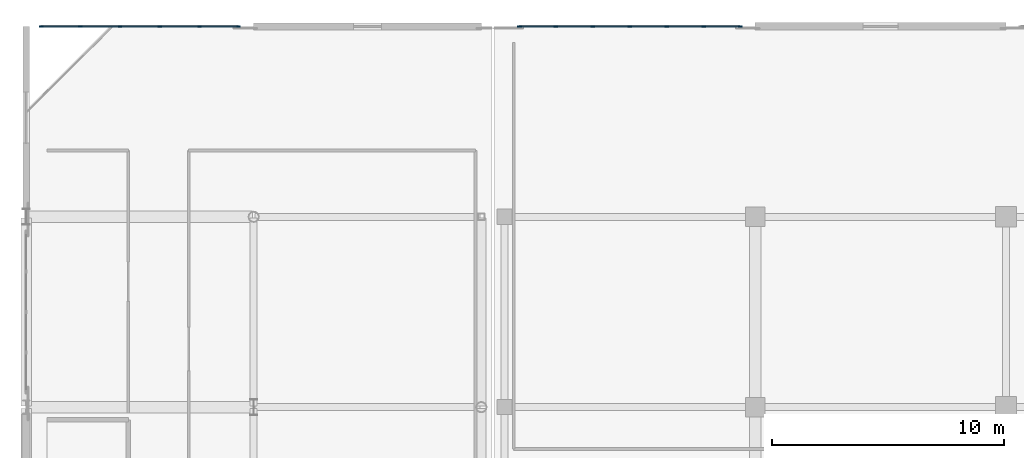
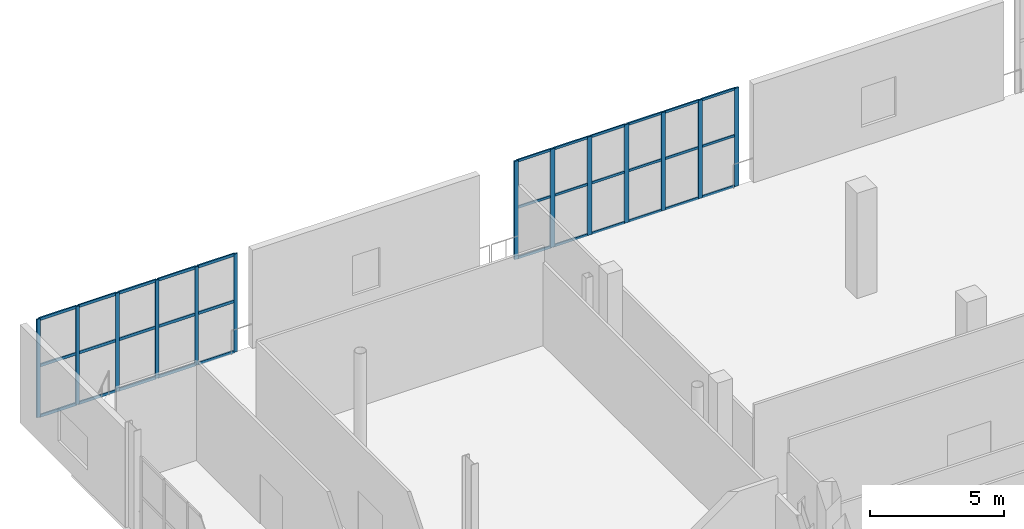
# One storey, part 48 of 129: 46 members, 2 elements without a shape of their own.
"""IFC4 building model written with IfcOpenShell, lengths in metres."""

from ifc_helpers import new_model, si_unit, direction, frame, origin, origin_2d, place, context, subcontext, project, spatial, rectangle, extrude, material, material_profile, profile_set, type_object, element, aggregate, save


model = new_model("IFC4")

# Units and contexts
model_context = context("Model", 3, precision=1e-05, world=origin(), true_north=direction((0.0, 1.0)))
body_context = subcontext(model_context, "Body", "Model", "MODEL_VIEW")
ifc_project = project(units=[si_unit("LENGTHUNIT", "METRE"), si_unit("AREAUNIT", "SQUARE_METRE"), si_unit("VOLUMEUNIT", "CUBIC_METRE"), si_unit("PLANEANGLEUNIT", "RADIAN"), si_unit("MASSUNIT", "GRAM", prefix="KILO")], contexts=[model_context])

# Site, building, storey
site_placement = place(None, origin())
site = spatial("IfcSite", under=ifc_project, at=site_placement, CompositionType="ELEMENT")
building_placement = place(site_placement, origin())
building = spatial("IfcBuilding", under=site, at=building_placement, Name="Koshinbarg Plaza Stadium", CompositionType="ELEMENT")
storey_placement = place(building_placement, frame((0.0, 0.0, 5.39990234375)))
storey = spatial("IfcBuildingStorey", under=building, at=storey_placement, Name="L01", CompositionType="ELEMENT", Elevation=5.39990234375)

# Curtain wall, members
ifc_material_1 = material(Name="Thermally broken anodised aluminium and low-E double glazing", Category="aluminium")
curtain_wall_type_1 = type_object("IfcCurtainWallType", Name="CW-SYS-10", PredefinedType="NOTDEFINED", material=ifc_material_1)
curtain_wall_1_placement = place(storey_placement, origin())
curtain_wall_1 = element("IfcCurtainWall", 1, at=curtain_wall_1_placement, inside=storey, type_object=curtain_wall_type_1, Name="L01 unitised curtain wall CW-L01-009", PredefinedType="NOTDEFINED")
ifc_material_2 = material(Name="Anodised aluminium mullion", Category="aluminium")
ifc_material_profile_1 = material_profile(ifc_material_2, rectangle(XDim=0.06005859375, YDim=0.159912109375, at=origin_2d()), Name="ALU 60x160")
ifc_profile_set_1 = profile_set([ifc_material_profile_1], Name="Anodised aluminium mullion")
member_type_1 = type_object("IfcMemberType", Name="CW-MUL-02", PredefinedType="MULLION", material=ifc_profile_set_1)
member_1_placement = place(storey_placement, frame((4.64990234375, 152.0, 0.0), z_axis=(0.0, 0.0, 1.0), x_axis=(0.0, 1.0, 0.0)))
member_1 = element("IfcMember", 2, at=member_1_placement, type_object=member_type_1, Name="CW10 mullion 1", PredefinedType="MULLION", context=body_context, shape_type="SweptSolid", body=[
    extrude(rectangle(XDim=0.06005859375, YDim=0.159912109375, at=origin_2d()), origin(), (0.0, 0.0, 1.0), 4.47998046875),
])
member_2_placement = place(storey_placement, frame((6.33203125, 152.0, 0.0), z_axis=(0.0, 0.0, 1.0), x_axis=(0.0, 1.0, 0.0)))
member_2 = element("IfcMember", 3, at=member_2_placement, type_object=member_type_1, Name="CW10 mullion 2", PredefinedType="MULLION", context=body_context, shape_type="SweptSolid", body=[
    extrude(rectangle(XDim=0.06005859375, YDim=0.159912109375, at=origin_2d()), origin(), (0.0, 0.0, 1.0), 4.47998046875),
])
member_3_placement = place(storey_placement, frame((8.0439453125, 152.0, 0.0), z_axis=(0.0, 0.0, 1.0), x_axis=(0.0, 1.0, 0.0)))
member_3 = element("IfcMember", 4, at=member_3_placement, type_object=member_type_1, Name="CW10 mullion 3", PredefinedType="MULLION", context=body_context, shape_type="SweptSolid", body=[
    extrude(rectangle(XDim=0.06005859375, YDim=0.159912109375, at=origin_2d()), origin(), (0.0, 0.0, 1.0), 4.47998046875),
])
member_4_placement = place(storey_placement, frame((9.756103515625, 152.0, 0.0), z_axis=(0.0, 0.0, 1.0), x_axis=(0.0, 1.0, 0.0)))
member_4 = element("IfcMember", 5, at=member_4_placement, type_object=member_type_1, Name="CW10 mullion 4", PredefinedType="MULLION", context=body_context, shape_type="SweptSolid", body=[
    extrude(rectangle(XDim=0.06005859375, YDim=0.159912109375, at=origin_2d()), origin(), (0.0, 0.0, 1.0), 4.47998046875),
])
member_5_placement = place(storey_placement, frame((11.468017578125, 152.0, 0.0), z_axis=(0.0, 0.0, 1.0), x_axis=(0.0, 1.0, 0.0)))
member_5 = element("IfcMember", 6, at=member_5_placement, type_object=member_type_1, Name="CW10 mullion 5", PredefinedType="MULLION", context=body_context, shape_type="SweptSolid", body=[
    extrude(rectangle(XDim=0.06005859375, YDim=0.159912109375, at=origin_2d()), origin(), (0.0, 0.0, 1.0), 4.47998046875),
])
member_6_placement = place(storey_placement, frame((13.14990234375, 152.0, 0.0), z_axis=(0.0, 0.0, 1.0), x_axis=(0.0, 1.0, 0.0)))
member_6 = element("IfcMember", 7, at=member_6_placement, type_object=member_type_1, Name="CW10 mullion 6", PredefinedType="MULLION", context=body_context, shape_type="SweptSolid", body=[
    extrude(rectangle(XDim=0.06005859375, YDim=0.159912109375, at=origin_2d()), origin(), (0.0, 0.0, 1.0), 4.47998046875),
])

curtain_wall_type_2 = type_object("IfcCurtainWallType", Name="CW-SYS-11", PredefinedType="NOTDEFINED", material=ifc_material_1)
curtain_wall_2_placement = place(storey_placement, origin())
curtain_wall_2 = element("IfcCurtainWall", 8, at=curtain_wall_2_placement, inside=storey, type_object=curtain_wall_type_2, Name="L01 unitised curtain wall CW-L01-010", PredefinedType="NOTDEFINED")
ifc_material_profile_2 = material_profile(ifc_material_2, rectangle(XDim=0.070068359375, YDim=0.179931640625, at=origin_2d()), Name="ALU 70x180")
ifc_profile_set_2 = profile_set([ifc_material_profile_2], Name="Anodised aluminium mullion")
member_type_2 = type_object("IfcMemberType", Name="CW-MUL-03", PredefinedType="MULLION", material=ifc_profile_set_2)
member_7_placement = place(storey_placement, frame((25.25, 152.0, 0.0), z_axis=(0.0, 0.0, 1.0), x_axis=(0.0, 1.0, 0.0)))
member_7 = element("IfcMember", 9, at=member_7_placement, type_object=member_type_2, Name="CW11 mullion 1", PredefinedType="MULLION", context=body_context, shape_type="SweptSolid", body=[
    extrude(rectangle(XDim=0.070068359375, YDim=0.179931640625, at=origin_2d()), origin(), (0.0, 0.0, 1.0), 4.47998046875),
])
member_8_placement = place(storey_placement, frame((26.813232421875, 152.0, 0.0), z_axis=(0.0, 0.0, 1.0), x_axis=(0.0, 1.0, 0.0)))
member_8 = element("IfcMember", 10, at=member_8_placement, type_object=member_type_2, Name="CW11 mullion 2", PredefinedType="MULLION", context=body_context, shape_type="SweptSolid", body=[
    extrude(rectangle(XDim=0.070068359375, YDim=0.179931640625, at=origin_2d()), origin(), (0.0, 0.0, 1.0), 4.47998046875),
])
member_9_placement = place(storey_placement, frame((28.40673828125, 152.0, 0.0), z_axis=(0.0, 0.0, 1.0), x_axis=(0.0, 1.0, 0.0)))
member_9 = element("IfcMember", 11, at=member_9_placement, type_object=member_type_2, Name="CW11 mullion 3", PredefinedType="MULLION", context=body_context, shape_type="SweptSolid", body=[
    extrude(rectangle(XDim=0.070068359375, YDim=0.179931640625, at=origin_2d()), origin(), (0.0, 0.0, 1.0), 4.47998046875),
])
member_10_placement = place(storey_placement, frame((30.0, 152.0, 0.0), z_axis=(0.0, 0.0, 1.0), x_axis=(0.0, 1.0, 0.0)))
member_10 = element("IfcMember", 12, at=member_10_placement, type_object=member_type_2, Name="CW11 mullion 4", PredefinedType="MULLION", context=body_context, shape_type="SweptSolid", body=[
    extrude(rectangle(XDim=0.070068359375, YDim=0.179931640625, at=origin_2d()), origin(), (0.0, 0.0, 1.0), 4.47998046875),
])
member_11_placement = place(storey_placement, frame((31.59326171875, 152.0, 0.0), z_axis=(0.0, 0.0, 1.0), x_axis=(0.0, 1.0, 0.0)))
member_11 = element("IfcMember", 13, at=member_11_placement, type_object=member_type_2, Name="CW11 mullion 5", PredefinedType="MULLION", context=body_context, shape_type="SweptSolid", body=[
    extrude(rectangle(XDim=0.070068359375, YDim=0.179931640625, at=origin_2d()), origin(), (0.0, 0.0, 1.0), 4.47998046875),
])
member_12_placement = place(storey_placement, frame((33.186767578125, 152.0, 0.0), z_axis=(0.0, 0.0, 1.0), x_axis=(0.0, 1.0, 0.0)))
member_12 = element("IfcMember", 14, at=member_12_placement, type_object=member_type_2, Name="CW11 mullion 6", PredefinedType="MULLION", context=body_context, shape_type="SweptSolid", body=[
    extrude(rectangle(XDim=0.070068359375, YDim=0.179931640625, at=origin_2d()), origin(), (0.0, 0.0, 1.0), 4.47998046875),
])
member_13_placement = place(storey_placement, frame((34.75, 152.0, 0.0), z_axis=(0.0, 0.0, 1.0), x_axis=(0.0, 1.0, 0.0)))
member_13 = element("IfcMember", 15, at=member_13_placement, type_object=member_type_2, Name="CW11 mullion 7", PredefinedType="MULLION", context=body_context, shape_type="SweptSolid", body=[
    extrude(rectangle(XDim=0.070068359375, YDim=0.179931640625, at=origin_2d()), origin(), (0.0, 0.0, 1.0), 4.47998046875),
])
ifc_material_3 = material(Name="Anodised aluminium transom", Category="aluminium")
ifc_material_profile_3 = material_profile(ifc_material_3, rectangle(XDim=0.06005859375, YDim=0.110107421875, at=origin_2d()), Name="ALU 60x110")
ifc_profile_set_3 = profile_set([ifc_material_profile_3], Name="Anodised aluminium transom")
member_type_3 = type_object("IfcMemberType", Name="CW-TRN-01", PredefinedType="USERDEFINED", material=ifc_profile_set_3)
member_14_placement = place(storey_placement, frame((25.280029296875, 152.0, 0.030029296875), z_axis=(1.0, 0.0, 0.0), x_axis=(0.0, 1.0, 0.0)))
member_14 = element("IfcMember", 16, at=member_14_placement, type_object=member_type_3, Name="CW11 transom 1.1", ObjectType="TRANSOM", PredefinedType="USERDEFINED", context=body_context, shape_type="SweptSolid", body=[
    extrude(rectangle(XDim=0.06005859375, YDim=0.110107421875, at=origin_2d()), origin(), (0.0, 0.0, 1.0), 1.50341796875),
])
member_15_placement = place(storey_placement, frame((25.280029296875, 152.0, 2.32958984375), z_axis=(1.0, 0.0, 0.0), x_axis=(0.0, 1.0, 0.0)))
member_15 = element("IfcMember", 17, at=member_15_placement, type_object=member_type_3, Name="CW11 transom 1.2", ObjectType="TRANSOM", PredefinedType="USERDEFINED", context=body_context, shape_type="SweptSolid", body=[
    extrude(rectangle(XDim=0.06005859375, YDim=0.110107421875, at=origin_2d()), origin(), (0.0, 0.0, 1.0), 1.50341796875),
])
member_16_placement = place(storey_placement, frame((25.280029296875, 152.0, 4.4501953125), z_axis=(1.0, 0.0, 0.0), x_axis=(0.0, 1.0, 0.0)))
member_16 = element("IfcMember", 18, at=member_16_placement, type_object=member_type_3, Name="CW11 transom 1.3", ObjectType="TRANSOM", PredefinedType="USERDEFINED", context=body_context, shape_type="SweptSolid", body=[
    extrude(rectangle(XDim=0.06005859375, YDim=0.110107421875, at=origin_2d()), origin(), (0.0, 0.0, 1.0), 1.50341796875),
])
member_17_placement = place(storey_placement, frame((26.84326171875, 152.0, 0.030029296875), z_axis=(1.0, 0.0, 0.0), x_axis=(0.0, 1.0, 0.0)))
member_17 = element("IfcMember", 19, at=member_17_placement, type_object=member_type_3, Name="CW11 transom 2.1", ObjectType="TRANSOM", PredefinedType="USERDEFINED", context=body_context, shape_type="SweptSolid", body=[
    extrude(rectangle(XDim=0.06005859375, YDim=0.110107421875, at=origin_2d()), origin(), (0.0, 0.0, 1.0), 1.533447265625),
])
member_18_placement = place(storey_placement, frame((26.84326171875, 152.0, 2.32958984375), z_axis=(1.0, 0.0, 0.0), x_axis=(0.0, 1.0, 0.0)))
member_18 = element("IfcMember", 20, at=member_18_placement, type_object=member_type_3, Name="CW11 transom 2.2", ObjectType="TRANSOM", PredefinedType="USERDEFINED", context=body_context, shape_type="SweptSolid", body=[
    extrude(rectangle(XDim=0.06005859375, YDim=0.110107421875, at=origin_2d()), origin(), (0.0, 0.0, 1.0), 1.533447265625),
])
member_19_placement = place(storey_placement, frame((26.84326171875, 152.0, 4.4501953125), z_axis=(1.0, 0.0, 0.0), x_axis=(0.0, 1.0, 0.0)))
member_19 = element("IfcMember", 21, at=member_19_placement, type_object=member_type_3, Name="CW11 transom 2.3", ObjectType="TRANSOM", PredefinedType="USERDEFINED", context=body_context, shape_type="SweptSolid", body=[
    extrude(rectangle(XDim=0.06005859375, YDim=0.110107421875, at=origin_2d()), origin(), (0.0, 0.0, 1.0), 1.533447265625),
])
member_20_placement = place(storey_placement, frame((28.436767578125, 152.0, 0.030029296875), z_axis=(1.0, 0.0, 0.0), x_axis=(0.0, 1.0, 0.0)))
member_20 = element("IfcMember", 22, at=member_20_placement, type_object=member_type_3, Name="CW11 transom 3.1", ObjectType="TRANSOM", PredefinedType="USERDEFINED", context=body_context, shape_type="SweptSolid", body=[
    extrude(rectangle(XDim=0.06005859375, YDim=0.110107421875, at=origin_2d()), origin(), (0.0, 0.0, 1.0), 1.533203125),
])
member_21_placement = place(storey_placement, frame((28.436767578125, 152.0, 2.32958984375), z_axis=(1.0, 0.0, 0.0), x_axis=(0.0, 1.0, 0.0)))
member_21 = element("IfcMember", 23, at=member_21_placement, type_object=member_type_3, Name="CW11 transom 3.2", ObjectType="TRANSOM", PredefinedType="USERDEFINED", context=body_context, shape_type="SweptSolid", body=[
    extrude(rectangle(XDim=0.06005859375, YDim=0.110107421875, at=origin_2d()), origin(), (0.0, 0.0, 1.0), 1.533203125),
])
member_22_placement = place(storey_placement, frame((28.436767578125, 152.0, 4.4501953125), z_axis=(1.0, 0.0, 0.0), x_axis=(0.0, 1.0, 0.0)))
member_22 = element("IfcMember", 24, at=member_22_placement, type_object=member_type_3, Name="CW11 transom 3.3", ObjectType="TRANSOM", PredefinedType="USERDEFINED", context=body_context, shape_type="SweptSolid", body=[
    extrude(rectangle(XDim=0.06005859375, YDim=0.110107421875, at=origin_2d()), origin(), (0.0, 0.0, 1.0), 1.533203125),
])
member_23_placement = place(storey_placement, frame((30.030029296875, 152.0, 0.030029296875), z_axis=(1.0, 0.0, 0.0), x_axis=(0.0, 1.0, 0.0)))
member_23 = element("IfcMember", 25, at=member_23_placement, type_object=member_type_3, Name="CW11 transom 4.1", ObjectType="TRANSOM", PredefinedType="USERDEFINED", context=body_context, shape_type="SweptSolid", body=[
    extrude(rectangle(XDim=0.06005859375, YDim=0.110107421875, at=origin_2d()), origin(), (0.0, 0.0, 1.0), 1.533203125),
])
member_24_placement = place(storey_placement, frame((30.030029296875, 152.0, 2.32958984375), z_axis=(1.0, 0.0, 0.0), x_axis=(0.0, 1.0, 0.0)))
member_24 = element("IfcMember", 26, at=member_24_placement, type_object=member_type_3, Name="CW11 transom 4.2", ObjectType="TRANSOM", PredefinedType="USERDEFINED", context=body_context, shape_type="SweptSolid", body=[
    extrude(rectangle(XDim=0.06005859375, YDim=0.110107421875, at=origin_2d()), origin(), (0.0, 0.0, 1.0), 1.533203125),
])
member_25_placement = place(storey_placement, frame((30.030029296875, 152.0, 4.4501953125), z_axis=(1.0, 0.0, 0.0), x_axis=(0.0, 1.0, 0.0)))
member_25 = element("IfcMember", 27, at=member_25_placement, type_object=member_type_3, Name="CW11 transom 4.3", ObjectType="TRANSOM", PredefinedType="USERDEFINED", context=body_context, shape_type="SweptSolid", body=[
    extrude(rectangle(XDim=0.06005859375, YDim=0.110107421875, at=origin_2d()), origin(), (0.0, 0.0, 1.0), 1.533203125),
])
member_26_placement = place(storey_placement, frame((31.623291015625, 152.0, 0.030029296875), z_axis=(1.0, 0.0, 0.0), x_axis=(0.0, 1.0, 0.0)))
member_26 = element("IfcMember", 28, at=member_26_placement, type_object=member_type_3, Name="CW11 transom 5.1", ObjectType="TRANSOM", PredefinedType="USERDEFINED", context=body_context, shape_type="SweptSolid", body=[
    extrude(rectangle(XDim=0.06005859375, YDim=0.110107421875, at=origin_2d()), origin(), (0.0, 0.0, 1.0), 1.533447265625),
])
member_27_placement = place(storey_placement, frame((31.623291015625, 152.0, 2.32958984375), z_axis=(1.0, 0.0, 0.0), x_axis=(0.0, 1.0, 0.0)))
member_27 = element("IfcMember", 29, at=member_27_placement, type_object=member_type_3, Name="CW11 transom 5.2", ObjectType="TRANSOM", PredefinedType="USERDEFINED", context=body_context, shape_type="SweptSolid", body=[
    extrude(rectangle(XDim=0.06005859375, YDim=0.110107421875, at=origin_2d()), origin(), (0.0, 0.0, 1.0), 1.533447265625),
])
member_28_placement = place(storey_placement, frame((31.623291015625, 152.0, 4.4501953125), z_axis=(1.0, 0.0, 0.0), x_axis=(0.0, 1.0, 0.0)))
member_28 = element("IfcMember", 30, at=member_28_placement, type_object=member_type_3, Name="CW11 transom 5.3", ObjectType="TRANSOM", PredefinedType="USERDEFINED", context=body_context, shape_type="SweptSolid", body=[
    extrude(rectangle(XDim=0.06005859375, YDim=0.110107421875, at=origin_2d()), origin(), (0.0, 0.0, 1.0), 1.533447265625),
])
member_29_placement = place(storey_placement, frame((33.216552734375, 152.0, 0.030029296875), z_axis=(1.0, 0.0, 0.0), x_axis=(0.0, 1.0, 0.0)))
member_29 = element("IfcMember", 31, at=member_29_placement, type_object=member_type_3, Name="CW11 transom 6.1", ObjectType="TRANSOM", PredefinedType="USERDEFINED", context=body_context, shape_type="SweptSolid", body=[
    extrude(rectangle(XDim=0.06005859375, YDim=0.110107421875, at=origin_2d()), origin(), (0.0, 0.0, 1.0), 1.50341796875),
])
member_30_placement = place(storey_placement, frame((33.216552734375, 152.0, 2.32958984375), z_axis=(1.0, 0.0, 0.0), x_axis=(0.0, 1.0, 0.0)))
member_30 = element("IfcMember", 32, at=member_30_placement, type_object=member_type_3, Name="CW11 transom 6.2", ObjectType="TRANSOM", PredefinedType="USERDEFINED", context=body_context, shape_type="SweptSolid", body=[
    extrude(rectangle(XDim=0.06005859375, YDim=0.110107421875, at=origin_2d()), origin(), (0.0, 0.0, 1.0), 1.50341796875),
])
member_31_placement = place(storey_placement, frame((33.216552734375, 152.0, 4.4501953125), z_axis=(1.0, 0.0, 0.0), x_axis=(0.0, 1.0, 0.0)))
member_31 = element("IfcMember", 33, at=member_31_placement, type_object=member_type_3, Name="CW11 transom 6.3", ObjectType="TRANSOM", PredefinedType="USERDEFINED", context=body_context, shape_type="SweptSolid", body=[
    extrude(rectangle(XDim=0.06005859375, YDim=0.110107421875, at=origin_2d()), origin(), (0.0, 0.0, 1.0), 1.50341796875),
])
aggregate(curtain_wall_2, [member_7, member_8, member_9, member_10, member_11, member_12, member_13, member_14, member_15, member_16, member_17, member_18, member_19, member_20, member_21, member_22, member_23, member_24, member_25, member_26, member_27, member_28, member_29, member_30, member_31])

# Member
ifc_material_profile_4 = material_profile(ifc_material_3, rectangle(XDim=0.06005859375, YDim=0.1298828125, at=origin_2d()), Name="ALU 60x130")
ifc_profile_set_4 = profile_set([ifc_material_profile_4], Name="Anodised aluminium transom")
member_type_4 = type_object("IfcMemberType", Name="CW-TRN-02", PredefinedType="USERDEFINED", material=ifc_profile_set_4)
member_32_placement = place(storey_placement, frame((4.679931640625, 152.0, 0.030029296875), z_axis=(1.0, 0.0, 0.0), x_axis=(0.0, 1.0, 0.0)))
member_32 = element("IfcMember", 34, at=member_32_placement, type_object=member_type_4, Name="CW10 transom 1.1", ObjectType="TRANSOM", PredefinedType="USERDEFINED", context=body_context, shape_type="SweptSolid", body=[
    extrude(rectangle(XDim=0.06005859375, YDim=0.1298828125, at=origin_2d()), origin(), (0.0, 0.0, 1.0), 1.6220703125),
])

member_33_placement = place(storey_placement, frame((4.679931640625, 152.0, 2.32958984375), z_axis=(1.0, 0.0, 0.0), x_axis=(0.0, 1.0, 0.0)))
member_33 = element("IfcMember", 35, at=member_33_placement, type_object=member_type_4, Name="CW10 transom 1.2", ObjectType="TRANSOM", PredefinedType="USERDEFINED", context=body_context, shape_type="SweptSolid", body=[
    extrude(rectangle(XDim=0.06005859375, YDim=0.1298828125, at=origin_2d()), origin(), (0.0, 0.0, 1.0), 1.6220703125),
])

member_34_placement = place(storey_placement, frame((4.679931640625, 152.0, 4.4501953125), z_axis=(1.0, 0.0, 0.0), x_axis=(0.0, 1.0, 0.0)))
member_34 = element("IfcMember", 36, at=member_34_placement, type_object=member_type_4, Name="CW10 transom 1.3", ObjectType="TRANSOM", PredefinedType="USERDEFINED", context=body_context, shape_type="SweptSolid", body=[
    extrude(rectangle(XDim=0.06005859375, YDim=0.1298828125, at=origin_2d()), origin(), (0.0, 0.0, 1.0), 1.6220703125),
])

member_35_placement = place(storey_placement, frame((6.362060546875, 152.0, 0.030029296875), z_axis=(1.0, 0.0, 0.0), x_axis=(0.0, 1.0, 0.0)))
member_35 = element("IfcMember", 37, at=member_35_placement, type_object=member_type_4, Name="CW10 transom 2.1", ObjectType="TRANSOM", PredefinedType="USERDEFINED", context=body_context, shape_type="SweptSolid", body=[
    extrude(rectangle(XDim=0.06005859375, YDim=0.1298828125, at=origin_2d()), origin(), (0.0, 0.0, 1.0), 1.65185546875),
])

member_36_placement = place(storey_placement, frame((6.362060546875, 152.0, 2.32958984375), z_axis=(1.0, 0.0, 0.0), x_axis=(0.0, 1.0, 0.0)))
member_36 = element("IfcMember", 38, at=member_36_placement, type_object=member_type_4, Name="CW10 transom 2.2", ObjectType="TRANSOM", PredefinedType="USERDEFINED", context=body_context, shape_type="SweptSolid", body=[
    extrude(rectangle(XDim=0.06005859375, YDim=0.1298828125, at=origin_2d()), origin(), (0.0, 0.0, 1.0), 1.65185546875),
])

member_37_placement = place(storey_placement, frame((6.362060546875, 152.0, 4.4501953125), z_axis=(1.0, 0.0, 0.0), x_axis=(0.0, 1.0, 0.0)))
member_37 = element("IfcMember", 39, at=member_37_placement, type_object=member_type_4, Name="CW10 transom 2.3", ObjectType="TRANSOM", PredefinedType="USERDEFINED", context=body_context, shape_type="SweptSolid", body=[
    extrude(rectangle(XDim=0.06005859375, YDim=0.1298828125, at=origin_2d()), origin(), (0.0, 0.0, 1.0), 1.65185546875),
])

member_38_placement = place(storey_placement, frame((8.073974609375, 152.0, 0.030029296875), z_axis=(1.0, 0.0, 0.0), x_axis=(0.0, 1.0, 0.0)))
member_38 = element("IfcMember", 40, at=member_38_placement, type_object=member_type_4, Name="CW10 transom 3.1", ObjectType="TRANSOM", PredefinedType="USERDEFINED", context=body_context, shape_type="SweptSolid", body=[
    extrude(rectangle(XDim=0.06005859375, YDim=0.1298828125, at=origin_2d()), origin(), (0.0, 0.0, 1.0), 1.652099609375),
])

member_39_placement = place(storey_placement, frame((8.073974609375, 152.0, 2.32958984375), z_axis=(1.0, 0.0, 0.0), x_axis=(0.0, 1.0, 0.0)))
member_39 = element("IfcMember", 41, at=member_39_placement, type_object=member_type_4, Name="CW10 transom 3.2", ObjectType="TRANSOM", PredefinedType="USERDEFINED", context=body_context, shape_type="SweptSolid", body=[
    extrude(rectangle(XDim=0.06005859375, YDim=0.1298828125, at=origin_2d()), origin(), (0.0, 0.0, 1.0), 1.652099609375),
])

member_40_placement = place(storey_placement, frame((8.073974609375, 152.0, 4.4501953125), z_axis=(1.0, 0.0, 0.0), x_axis=(0.0, 1.0, 0.0)))
member_40 = element("IfcMember", 42, at=member_40_placement, type_object=member_type_4, Name="CW10 transom 3.3", ObjectType="TRANSOM", PredefinedType="USERDEFINED", context=body_context, shape_type="SweptSolid", body=[
    extrude(rectangle(XDim=0.06005859375, YDim=0.1298828125, at=origin_2d()), origin(), (0.0, 0.0, 1.0), 1.652099609375),
])

member_41_placement = place(storey_placement, frame((9.785888671875, 152.0, 0.030029296875), z_axis=(1.0, 0.0, 0.0), x_axis=(0.0, 1.0, 0.0)))
member_41 = element("IfcMember", 43, at=member_41_placement, type_object=member_type_4, Name="CW10 transom 4.1", ObjectType="TRANSOM", PredefinedType="USERDEFINED", context=body_context, shape_type="SweptSolid", body=[
    extrude(rectangle(XDim=0.06005859375, YDim=0.1298828125, at=origin_2d()), origin(), (0.0, 0.0, 1.0), 1.652099609375),
])

member_42_placement = place(storey_placement, frame((9.785888671875, 152.0, 2.32958984375), z_axis=(1.0, 0.0, 0.0), x_axis=(0.0, 1.0, 0.0)))
member_42 = element("IfcMember", 44, at=member_42_placement, type_object=member_type_4, Name="CW10 transom 4.2", ObjectType="TRANSOM", PredefinedType="USERDEFINED", context=body_context, shape_type="SweptSolid", body=[
    extrude(rectangle(XDim=0.06005859375, YDim=0.1298828125, at=origin_2d()), origin(), (0.0, 0.0, 1.0), 1.652099609375),
])

member_43_placement = place(storey_placement, frame((9.785888671875, 152.0, 4.4501953125), z_axis=(1.0, 0.0, 0.0), x_axis=(0.0, 1.0, 0.0)))
member_43 = element("IfcMember", 45, at=member_43_placement, type_object=member_type_4, Name="CW10 transom 4.3", ObjectType="TRANSOM", PredefinedType="USERDEFINED", context=body_context, shape_type="SweptSolid", body=[
    extrude(rectangle(XDim=0.06005859375, YDim=0.1298828125, at=origin_2d()), origin(), (0.0, 0.0, 1.0), 1.652099609375),
])

member_44_placement = place(storey_placement, frame((11.498046875, 152.0, 0.030029296875), z_axis=(1.0, 0.0, 0.0), x_axis=(0.0, 1.0, 0.0)))
member_44 = element("IfcMember", 46, at=member_44_placement, type_object=member_type_4, Name="CW10 transom 5.1", ObjectType="TRANSOM", PredefinedType="USERDEFINED", context=body_context, shape_type="SweptSolid", body=[
    extrude(rectangle(XDim=0.06005859375, YDim=0.1298828125, at=origin_2d()), origin(), (0.0, 0.0, 1.0), 1.6220703125),
])

member_45_placement = place(storey_placement, frame((11.498046875, 152.0, 2.32958984375), z_axis=(1.0, 0.0, 0.0), x_axis=(0.0, 1.0, 0.0)))
member_45 = element("IfcMember", 47, at=member_45_placement, type_object=member_type_4, Name="CW10 transom 5.2", ObjectType="TRANSOM", PredefinedType="USERDEFINED", context=body_context, shape_type="SweptSolid", body=[
    extrude(rectangle(XDim=0.06005859375, YDim=0.1298828125, at=origin_2d()), origin(), (0.0, 0.0, 1.0), 1.6220703125),
])

member_46_placement = place(storey_placement, frame((11.498046875, 152.0, 4.4501953125), z_axis=(1.0, 0.0, 0.0), x_axis=(0.0, 1.0, 0.0)))
member_46 = element("IfcMember", 48, at=member_46_placement, type_object=member_type_4, Name="CW10 transom 5.3", ObjectType="TRANSOM", PredefinedType="USERDEFINED", context=body_context, shape_type="SweptSolid", body=[
    extrude(rectangle(XDim=0.06005859375, YDim=0.1298828125, at=origin_2d()), origin(), (0.0, 0.0, 1.0), 1.6220703125),
])

aggregate(curtain_wall_1, [member_1, member_2, member_3, member_4, member_5, member_6, member_32, member_33, member_34, member_35, member_36, member_37, member_38, member_39, member_40, member_41, member_42, member_43, member_44, member_45, member_46])

save(model, "model.ifc")
